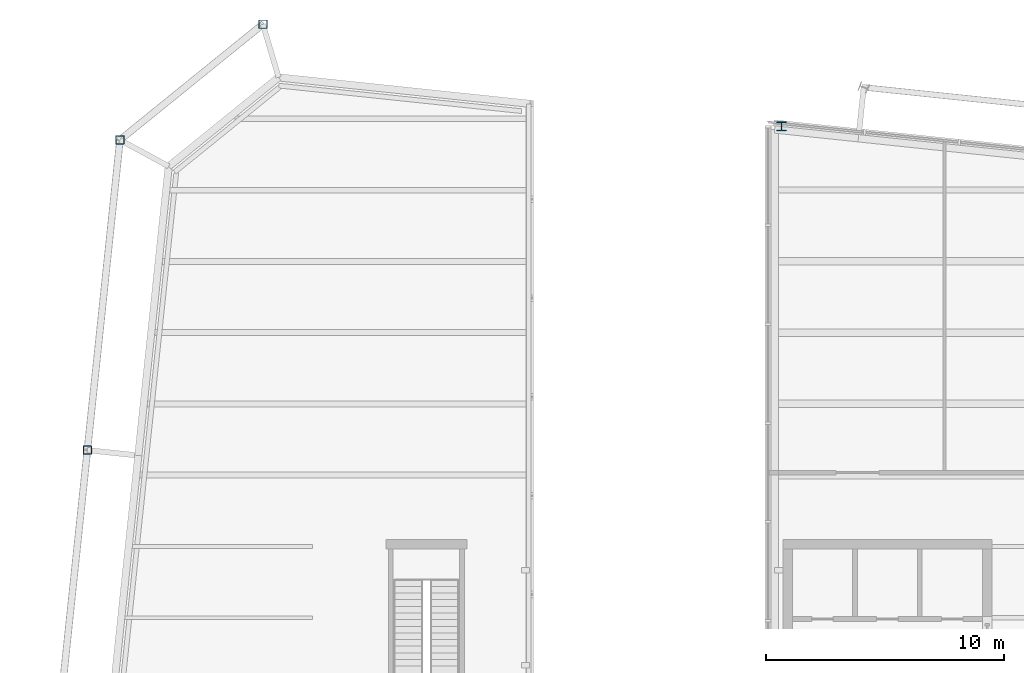
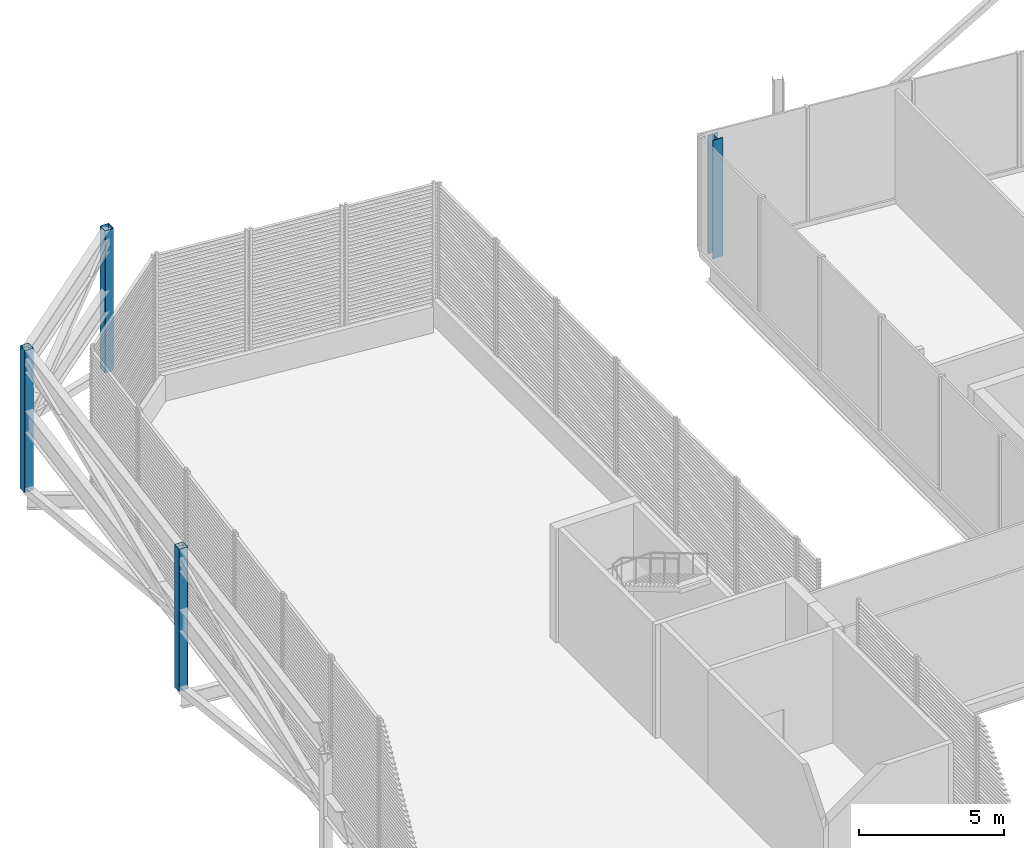
# One storey, part 3 of 15: 4 columns.
"""IFC4 building model written with IfcOpenShell, lengths in metres."""

from ifc_helpers import new_model, si_unit, direction, frame, origin, origin_2d, place, context, subcontext, project, spatial, hollow_rectangle, i_section, extrude, material, material_profile, profile_set, type_object, element, save


model = new_model("IFC4")

# Units and contexts
model_context = context("Model", 3, precision=1e-05, world=origin(), true_north=direction((0.0, 1.0)))
body_context = subcontext(model_context, "Body", "Model", "MODEL_VIEW")
ifc_project = project(units=[si_unit("LENGTHUNIT", "METRE"), si_unit("AREAUNIT", "SQUARE_METRE"), si_unit("VOLUMEUNIT", "CUBIC_METRE"), si_unit("PLANEANGLEUNIT", "RADIAN"), si_unit("MASSUNIT", "GRAM", prefix="KILO")], contexts=[model_context])

# Site, building, storey
site_placement = place(None, origin())
site = spatial("IfcSite", under=ifc_project, at=site_placement, CompositionType="ELEMENT")
building_placement = place(site_placement, origin())
building = spatial("IfcBuilding", under=site, at=building_placement, Name="Millrace Tower", CompositionType="ELEMENT")
storey_placement = place(building_placement, frame((0.0, 0.0, 352.10009765625)))
storey = spatial("IfcBuildingStorey", under=building, at=storey_placement, Name="L81", CompositionType="ELEMENT", Elevation=352.10009765625)

# Columns
ifc_material_1 = material(Name="Steel ASTM A500 Grade C", Category="steel")
ifc_material_profile_1 = material_profile(ifc_material_1, hollow_rectangle(XDim=0.355712890625, YDim=0.355712890625, WallThickness=0.015869140625, InnerFilletRadius=0.008056640625, OuterFilletRadius=0.02392578125, at=origin_2d()))
ifc_profile_set_1 = profile_set([ifc_material_profile_1], Name="Steel ASTM A500 Grade C")
column_type_1 = type_object("IfcColumnType", Name="CROWN FRAME post HSS14x14x5/8", PredefinedType="COLUMN", material=ifc_profile_set_1)
for number, where, z_axis, x_axis, name in (
    (1, (-16.3857421875, 30.9794921875, 0.0), (0.0, 0.0, 1.0), (1.0, 0.0, 0.0), "CROWN FRAME post W.5"),
    (2, (-22.399169921875, 26.10986328125, 0.0), (0.0, 0.0, 1.0), (1.0, 0.0, 0.0), "CROWN FRAME post W.6"),
    (3, (-23.771484375, 13.053466796875, 0.0), (0.0, 0.0, 1.0), (1.0, 0.0, 0.0), "CROWN FRAME post W.7"),
):
    element("IfcColumn", number, at=place(storey_placement, frame(where, z_axis=z_axis, x_axis=x_axis)), inside=storey, type_object=column_type_1, Name=name, PredefinedType="COLUMN", context=body_context, shape_type="SweptSolid", body=[
        extrude(hollow_rectangle(XDim=0.355712890625, YDim=0.355712890625, WallThickness=0.015869140625, InnerFilletRadius=0.008056640625, OuterFilletRadius=0.02392578125, at=origin_2d()), origin(), (0.0, 0.0, 1.0), 6.0),
    ])
ifc_material_2 = material(Name="Steel ASTM A913 Grade 65", Category="steel")
ifc_material_profile_2 = material_profile(ifc_material_2, i_section(OverallWidth=0.396240234375, OverallDepth=0.381103515625, WebThickness=0.018798828125, FlangeThickness=0.0302734375, FilletRadius=0.01513671875, at=origin_2d()))
ifc_profile_set_2 = profile_set([ifc_material_profile_2], Name="Steel ASTM A913 Grade 65")
column_type_2 = type_object("IfcColumnType", Name="Crown corner post W14x159", PredefinedType="COLUMN", material=ifc_profile_set_2)
column_placement = place(storey_placement, frame((5.43408203125, 26.6826171875, -0.2001953125), z_axis=(0.0, 0.0, 1.0), x_axis=(1.0, 0.0, 0.0)))
element("IfcColumn", 4, at=column_placement, inside=storey, type_object=column_type_2, Name="COL-CROWN-L81-SE-P01", PredefinedType="COLUMN", context=body_context, shape_type="SweptSolid", body=[
    extrude(i_section(OverallWidth=0.396240234375, OverallDepth=0.381103515625, WebThickness=0.018798828125, FlangeThickness=0.0302734375, FilletRadius=0.01513671875, at=origin_2d()), origin(), (0.0, 0.0, 1.0), 5.0),
])

save(model, "model.ifc")
